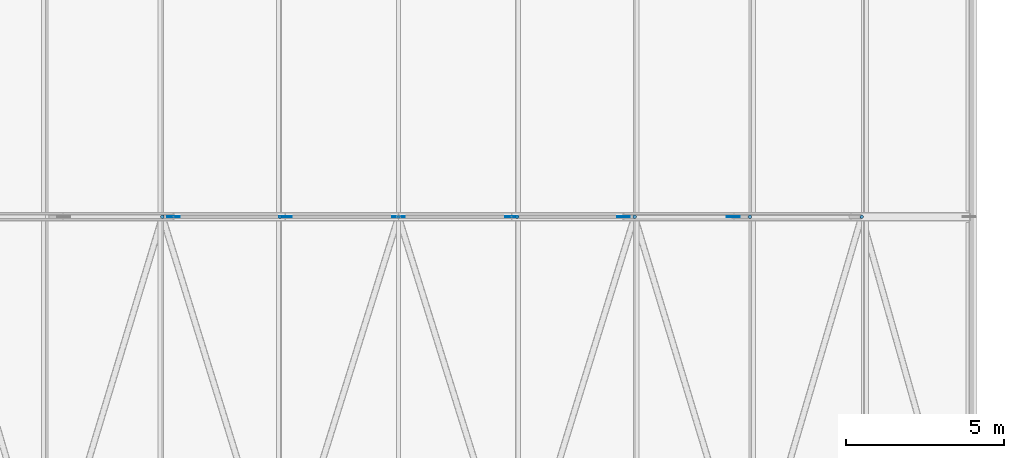
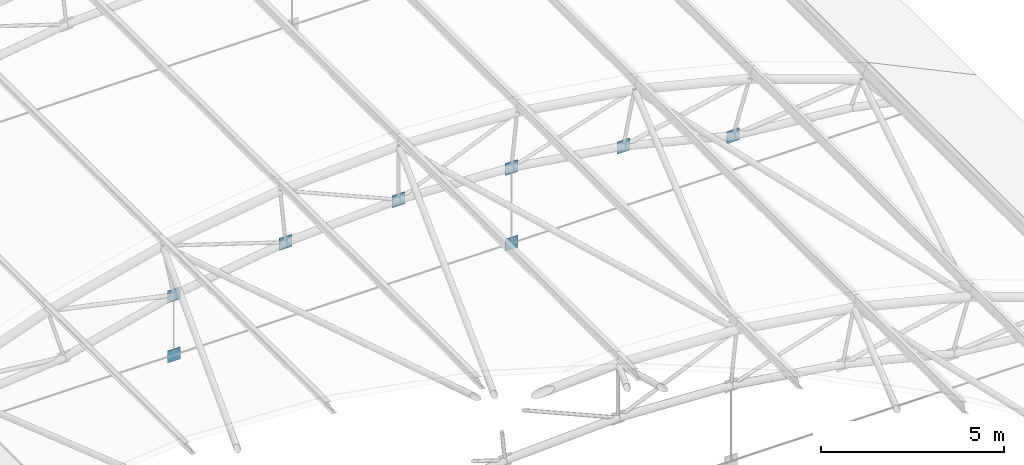
# One storey, part 306 of 321: 15 discrete accessories.
"""IFC4 building model written with IfcOpenShell, lengths in metres."""

from ifc_helpers import new_model, si_unit, direction, frame, origin, origin_2d, place, context, subcontext, project, spatial, rectangle, circle, extrude, material, material_profile, profile_set, type_object, element, save


model = new_model("IFC4")

# Units and contexts
model_context = context("Model", 3, precision=1e-05, world=origin(), true_north=direction((0.0, 1.0)))
body_context = subcontext(model_context, "Body", "Model", "MODEL_VIEW")
ifc_project = project(units=[si_unit("LENGTHUNIT", "METRE"), si_unit("AREAUNIT", "SQUARE_METRE"), si_unit("VOLUMEUNIT", "CUBIC_METRE"), si_unit("PLANEANGLEUNIT", "RADIAN"), si_unit("MASSUNIT", "GRAM", prefix="KILO")], contexts=[model_context])

# Site, building, storey
site_placement = place(None, origin())
site = spatial("IfcSite", under=ifc_project, at=site_placement, CompositionType="ELEMENT")
building_placement = place(site_placement, origin())
building = spatial("IfcBuilding", under=site, at=building_placement, Name="Ravi Spectrum Wholesale Market", CompositionType="ELEMENT")
storey_placement = place(building_placement, frame((0.0, 0.0, 10.800048828125)))
storey = spatial("IfcBuildingStorey", under=building, at=storey_placement, Name="L02", CompositionType="ELEMENT", Elevation=10.800048828125)

# Discrete accessories
ifc_material_1 = material(Name="Steel S355", Category="steel")
ifc_material_profile_1 = material_profile(ifc_material_1, circle(Radius=0.05712890625, at=origin_2d()))
ifc_profile_set_1 = profile_set([ifc_material_profile_1], Name="Steel S355")
discrete_accessory_type_1 = type_object("IfcDiscreteAccessoryType", Name="End plate CHS 114.3x4", PredefinedType="BRACKET", material=ifc_profile_set_1)
for number, where, z_axis, x_axis, name in (
    (1, (172.551513671875, 162.0, 3.767822265625), (-0.18428853505, 0.0, 0.982872186934), (0.0, -1.0, 0.0), "End plate"),
    (2, (176.2578125, 162.0, 4.31640625), (-0.101513688013, 0.0, 0.994834142531), (0.0, -1.0, 0.0), "End plate"),
    (3, (180.0, 162.0, 4.5), (0.0, 0.0, 1.0), (1.0, 0.0, 0.0), "End plate"),
    (4, (183.7421875, 162.0, 4.31640625), (0.101513688013, 0.0, 0.994834142531), (0.0, 1.0, 0.0), "End plate"),
    (5, (187.448486328125, 162.0, 3.767822265625), (0.18428853505, 0.0, 0.982872186934), (0.0, 1.0, 0.0), "End plate"),
    (6, (191.083251953125, 162.0, 2.859130859375), (0.2854765866, 0.0, 0.958385683586), (0.0, 1.0, 0.0), "End plate"),
):
    element("IfcDiscreteAccessory", number, at=place(storey_placement, frame(where, z_axis=z_axis, x_axis=x_axis)), inside=storey, type_object=discrete_accessory_type_1, Name=name, PredefinedType="BRACKET", context=body_context, shape_type="SweptSolid", body=[
        extrude(circle(Radius=0.05712890625, at=origin_2d()), origin(), (0.0, 0.0, 1.0), 0.011962890625),
    ])
discrete_accessory_placement = place(storey_placement, frame((194.61181640625, 162.0, 1.59912109375), z_axis=(0.371390676354, 0.0, 0.928476690885), x_axis=(0.0, 1.0, 0.0)))
element("IfcDiscreteAccessory", 7, at=discrete_accessory_placement, inside=storey, type_object=discrete_accessory_type_1, Name="End plate", PredefinedType="BRACKET", context=body_context, shape_type="SweptSolid", body=[
    extrude(circle(Radius=0.05712890625, at=origin_2d()), origin(), (0.0, 0.0, 1.0), 0.01171875),
])
ifc_material_2 = material(Name="Steel S355", Category="steel")
ifc_material_profile_2 = material_profile(ifc_material_2, rectangle(XDim=0.39990234375, YDim=0.02001953125, at=origin_2d()))
ifc_profile_set_2 = profile_set([ifc_material_profile_2], Name="Steel S355")
discrete_accessory_type_2 = type_object("IfcDiscreteAccessoryType", Name="Gusset plate 400x400x20", PredefinedType="BRACKET", material=ifc_profile_set_2)
for number, where, z_axis, x_axis, name in (
    (8, (172.902099609375, 162.0, -0.199951171875), (0.0, 0.0, 1.0), (1.0, 0.0, 0.0), "Gusset plate"),
    (9, (172.902099609375, 162.0, 1.80224609375), (0.0, 0.0, 1.0), (1.0, 0.0, 0.0), "Gusset plate"),
    (10, (176.433837890625, 162.0, 2.3251953125), (0.0, 0.0, 1.0), (1.0, 0.0, 0.0), "Gusset plate"),
    (11, (180.0, 162.0, 2.5), (0.0, 0.0, 1.0), (1.0, 0.0, 0.0), "Gusset plate"),
    (12, (183.566162109375, 162.0, -0.199951171875), (0.0, 0.0, 1.0), (1.0, 0.0, 0.0), "Gusset plate"),
    (13, (183.566162109375, 162.0, 2.3251953125), (0.0, 0.0, 1.0), (-1.0, 0.0, 0.0), "Gusset plate"),
    (14, (187.097900390625, 162.0, 1.80224609375), (0.0, 0.0, 1.0), (-1.0, 0.0, 0.0), "Gusset plate"),
    (15, (190.561767578125, 162.0, 0.936279296875), (0.0, 0.0, 1.0), (-1.0, 0.0, 0.0), "Gusset plate"),
):
    element("IfcDiscreteAccessory", number, at=place(storey_placement, frame(where, z_axis=z_axis, x_axis=x_axis)), inside=storey, type_object=discrete_accessory_type_2, Name=name, PredefinedType="BRACKET", context=body_context, shape_type="SweptSolid", body=[
        extrude(rectangle(XDim=0.39990234375, YDim=0.02001953125, at=origin_2d()), origin(), (0.0, 0.0, 1.0), 0.39990234375),
    ])

save(model, "model.ifc")
